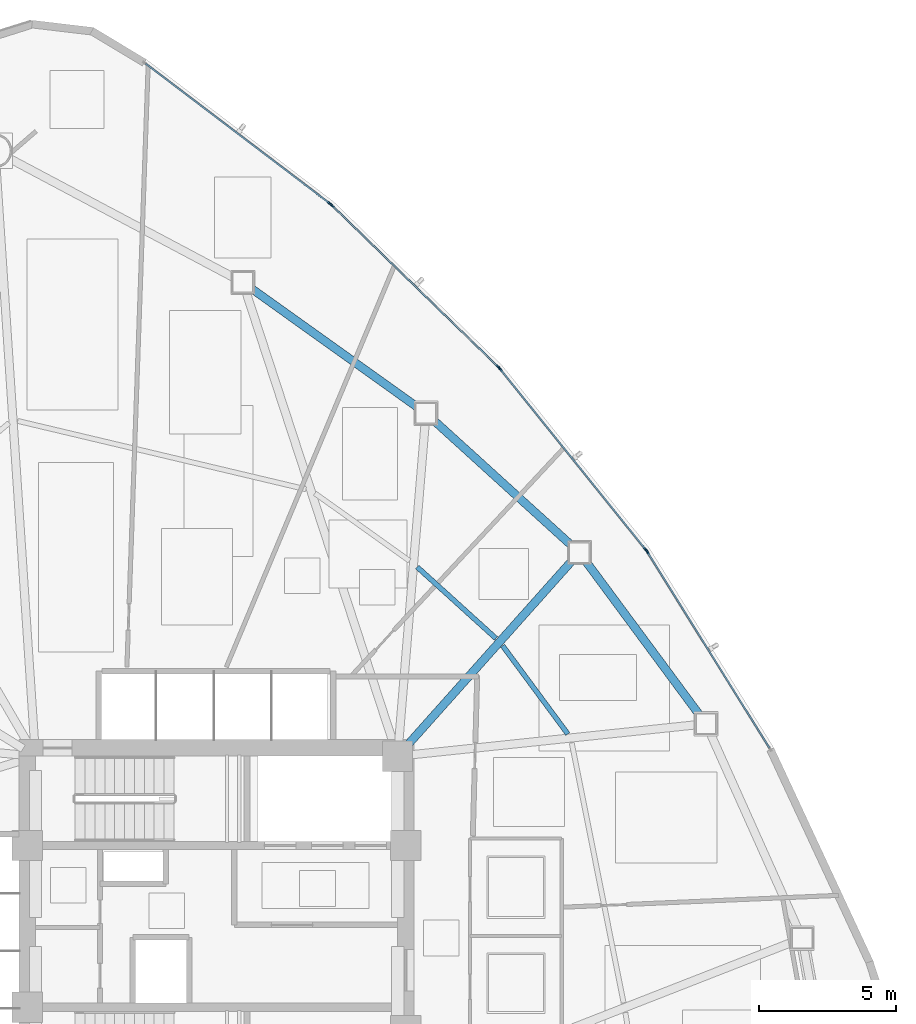
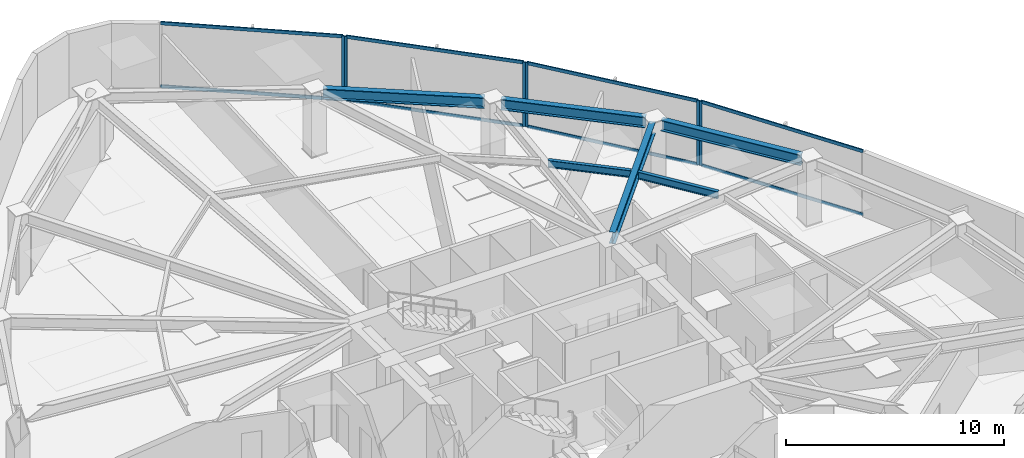
# One storey, part 10 of 18: 14 members, 6 beams, 4 elements without a shape of their own.
"""IFC4 building model written with IfcOpenShell, lengths in metres."""

from ifc_helpers import new_model, si_unit, direction, frame, origin, origin_2d, place, context, subcontext, project, spatial, hollow_rectangle, i_section, extrude, source, transform, mapped, material, layer, layer_set, material_profile, profile_set, type_object, type_shapes, element, aggregate, save


model = new_model("IFC4")

# Units and contexts
model_context = context("Model", 3, precision=1e-05, world=origin(), true_north=direction((0.0, 1.0)))
body_context = subcontext(model_context, "Body", "Model", "MODEL_VIEW")
ifc_project = project(units=[si_unit("LENGTHUNIT", "METRE"), si_unit("AREAUNIT", "SQUARE_METRE"), si_unit("VOLUMEUNIT", "CUBIC_METRE"), si_unit("PLANEANGLEUNIT", "RADIAN"), si_unit("MASSUNIT", "GRAM", prefix="KILO")], contexts=[model_context])

# Site, building, storey
site_placement = place(None, origin())
site = spatial("IfcSite", under=ifc_project, at=site_placement, CompositionType="ELEMENT")
building_placement = place(site_placement, origin())
building = spatial("IfcBuilding", under=site, at=building_placement, Name="Tavelor Broadcast Tower", CompositionType="ELEMENT")
storey_placement = place(building_placement, frame((0.0, 0.0, 47.10009765625)))
storey = spatial("IfcBuildingStorey", under=building, at=storey_placement, Name="L10", CompositionType="ELEMENT", Elevation=47.10009765625)

# Beams
ifc_material_1 = material(Name="Steel S355", Category="steel")
ifc_material_profile_1 = material_profile(ifc_material_1, i_section(OverallWidth=0.179931640625, OverallDepth=0.39990234375, WebThickness=0.008544921875, FlangeThickness=0.013427734375, at=origin_2d()), Name="IPE 400")
ifc_profile_set_1 = profile_set([ifc_material_profile_1], Name="Steel S355")
beam_type_1 = type_object("IfcBeamType", Name="Composite Floor Joist T1 IPE 400", PredefinedType="JOIST", material=ifc_profile_set_1)
beam_1_placement = place(storey_placement, frame((62.804443359375, 52.009521484375, 3.39990234375), z_axis=(-0.594288025828, 0.804252287754, 0.0), x_axis=(-0.804252287754, -0.594288025828, 0.0)))
element("IfcBeam", 1, at=beam_1_placement, inside=storey, type_object=beam_type_1, Name="L10 Secondary Composite Floor Joist 15", PredefinedType="JOIST", context=body_context, shape_type="SweptSolid", body=[
    extrude(i_section(OverallWidth=0.179931640625, OverallDepth=0.39990234375, WebThickness=0.008544921875, FlangeThickness=0.013427734375, at=origin_2d()), origin(), (0.0, 0.0, 1.0), 3.99755859375),
])
beam_2_placement = place(storey_placement, frame((60.18701171875, 55.49169921875, 3.39990234375), z_axis=(-0.740990869176, 0.67151510169, 0.0), x_axis=(-0.67151510169, -0.740990869176, 0.0)))
element("IfcBeam", 2, at=beam_2_placement, inside=storey, type_object=beam_type_1, Name="L10 Secondary Composite Floor Joist 16", PredefinedType="JOIST", context=body_context, shape_type="SweptSolid", body=[
    extrude(i_section(OverallWidth=0.179931640625, OverallDepth=0.39990234375, WebThickness=0.008544921875, FlangeThickness=0.013427734375, at=origin_2d()), origin(), (0.0, 0.0, 1.0), 3.8759765625),
])
ifc_material_profile_2 = material_profile(ifc_material_1, i_section(OverallWidth=0.300048828125, OverallDepth=0.60009765625, WebThickness=0.015380859375, FlangeThickness=0.030029296875, at=origin_2d()), Name="HEB 600")
ifc_profile_set_2 = profile_set([ifc_material_profile_2], Name="Steel S355")
beam_type_2 = type_object("IfcBeamType", Name="Perimeter Spandrel Beam T1 HEB 600", PredefinedType="SPANDREL", material=ifc_profile_set_2)
beam_3_placement = place(storey_placement, frame((67.6123046875, 52.69140625, 3.2998046875), z_axis=(-0.594687385164, 0.803957034876, 0.0), x_axis=(-0.803957034876, -0.594687385164, 0.0)))
element("IfcBeam", 3, at=beam_3_placement, inside=storey, type_object=beam_type_2, Name="L10 Framed-Tube Ring Spandrel 15", PredefinedType="SPANDREL", context=body_context, shape_type="SweptSolid", body=[
    extrude(i_section(OverallWidth=0.300048828125, OverallDepth=0.60009765625, WebThickness=0.015380859375, FlangeThickness=0.030029296875, at=origin_2d()), origin(), (0.0, 0.0, 1.0), 6.9951171875),
])
beam_4_placement = place(storey_placement, frame((62.939697265625, 58.882080078125, 3.2998046875), z_axis=(-0.740415616175, 0.672149325168, 0.0), x_axis=(-0.672149325168, -0.740415616175, 0.0)))
element("IfcBeam", 4, at=beam_4_placement, inside=storey, type_object=beam_type_2, Name="L10 Framed-Tube Ring Spandrel 16", PredefinedType="SPANDREL", context=body_context, shape_type="SweptSolid", body=[
    extrude(i_section(OverallWidth=0.300048828125, OverallDepth=0.60009765625, WebThickness=0.015380859375, FlangeThickness=0.030029296875, at=origin_2d()), origin(), (0.0, 0.0, 1.0), 6.78076171875),
])
beam_5_placement = place(storey_placement, frame((57.322509765625, 63.921142578125, 3.2998046875), z_axis=(-0.813480467782, 0.581592235624, 0.0), x_axis=(-0.581592235624, -0.813480467782, 0.0)))
element("IfcBeam", 5, at=beam_5_placement, inside=storey, type_object=beam_type_2, Name="L10 Framed-Tube Ring Spandrel 17", PredefinedType="SPANDREL", context=body_context, shape_type="SweptSolid", body=[
    extrude(i_section(OverallWidth=0.300048828125, OverallDepth=0.60009765625, WebThickness=0.015380859375, FlangeThickness=0.030029296875, at=origin_2d()), origin(), (0.0, 0.0, 1.0), 7.43505859375),
])
ifc_material_profile_3 = material_profile(ifc_material_1, i_section(OverallWidth=0.300048828125, OverallDepth=0.64990234375, WebThickness=0.01611328125, FlangeThickness=0.031005859375, at=origin_2d()), Name="HEB 650")
ifc_profile_set_3 = profile_set([ifc_material_profile_3], Name="Steel S355")
beam_type_3 = type_object("IfcBeamType", Name="Radial Floor Girder T1 HEB 650", PredefinedType="BEAM", material=ifc_profile_set_3)
beam_6_placement = place(storey_placement, frame((56.951416015625, 51.593994140625, 3.27490234375), z_axis=(0.665781144197, 0.746147082036, 0.0), x_axis=(-0.746147082036, 0.665781144197, 0.0)))
element("IfcBeam", 6, at=beam_6_placement, inside=storey, type_object=beam_type_3, Name="L10 Radial Primary Floor Girder 16", PredefinedType="BEAM", context=body_context, shape_type="SweptSolid", body=[
    extrude(i_section(OverallWidth=0.300048828125, OverallDepth=0.64990234375, WebThickness=0.01611328125, FlangeThickness=0.031005859375, at=origin_2d()), origin(), (0.0, 0.0, 1.0), 9.03759765625),
])

# Curtain wall, member
ifc_material_2 = material(Name="Architectural Anodized Aluminium", Category="aluminium")
ifc_layer = layer(ifc_material_2, 0.179931640625)
ifc_layer_set = layer_set([ifc_layer], Name="Architectural Anodized Aluminium")
curtain_wall_type = type_object("IfcCurtainWallType", Name="Tower Low-Zone Unitised Curtain Wall CW02", PredefinedType="NOTDEFINED", material=ifc_layer_set)
curtain_wall_1_placement = place(storey_placement, origin())
curtain_wall_1 = element("IfcCurtainWall", 7, at=curtain_wall_1_placement, inside=storey, type_object=curtain_wall_type, Name="L10 Curtain Wall CW02 Run 81", PredefinedType="NOTDEFINED")
ifc_material_profile_4 = material_profile(ifc_material_2, hollow_rectangle(XDim=0.06494140625, YDim=0.179931640625, WallThickness=0.02197265625, at=origin_2d()), Name="RHS 65x180x22")
ifc_profile_set_4 = profile_set([ifc_material_profile_4], Name="Architectural Anodized Aluminium")
member_type_1 = type_object("IfcMemberType", Name="CW02 Extruded Aluminium Mullion 65x180", PredefinedType="MULLION", material=ifc_profile_set_4)
shared_shape_1 = source(origin(), body_context, "Body", "SweptSolid", [
    extrude(hollow_rectangle(XDim=0.06494140625, YDim=0.179931640625, WallThickness=0.02197265625, at=origin_2d()), origin(), (0.0, 0.0, 1.0), 3.599853515625),
])
type_shapes(member_type_1, [shared_shape_1])
member_1_placement = place(storey_placement, frame((65.6962890625, 58.655029296875, 0.0), z_axis=(0.0, 0.0, 1.0), x_axis=(-0.848739264811, -0.528811554684, 0.0)))
member_1 = element("IfcMember", 8, at=member_1_placement, type_object=member_type_1, Name="CW02 mullion 2", PredefinedType="MULLION", context=body_context, shape_type="MappedRepresentation", body=[
    mapped(shared_shape_1, transform((0.0, 0.0, 0.0), scale=1.0)),
])

# Curtain wall, members
curtain_wall_2_placement = place(storey_placement, origin())
curtain_wall_2 = element("IfcCurtainWall", 9, at=curtain_wall_2_placement, inside=storey, type_object=curtain_wall_type, Name="L10 Curtain Wall CW02 Run 82", PredefinedType="NOTDEFINED")
member_2_placement = place(storey_placement, frame((65.6416015625, 58.732421875, 0.0), z_axis=(0.0, 0.0, 1.0), x_axis=(-0.778513671383, -0.627627647152, 0.0)))
member_2 = element("IfcMember", 10, at=member_2_placement, type_object=member_type_1, Name="CW02 mullion 1", PredefinedType="MULLION", context=body_context, shape_type="MappedRepresentation", body=[
    mapped(shared_shape_1, transform((0.0, 0.0, 0.0), scale=1.0)),
])
member_3_placement = place(storey_placement, frame((60.334716796875, 65.31494140625, 0.0), z_axis=(0.0, 0.0, 1.0), x_axis=(-0.778513671383, -0.627627647152, 0.0)))
member_3 = element("IfcMember", 11, at=member_3_placement, type_object=member_type_1, Name="CW02 mullion 2", PredefinedType="MULLION", context=body_context, shape_type="MappedRepresentation", body=[
    mapped(shared_shape_1, transform((0.0, 0.0, 0.0), scale=1.0)),
])

curtain_wall_3_placement = place(storey_placement, origin())
curtain_wall_3 = element("IfcCurtainWall", 12, at=curtain_wall_3_placement, inside=storey, type_object=curtain_wall_type, Name="L10 Curtain Wall CW02 Run 83", PredefinedType="NOTDEFINED")
member_4_placement = place(storey_placement, frame((60.270751953125, 65.38525390625, 0.0), z_axis=(0.0, 0.0, 1.0), x_axis=(-0.696833990154, -0.717232451975, 0.0)))
member_4 = element("IfcMember", 13, at=member_4_placement, type_object=member_type_1, Name="CW02 mullion 1", PredefinedType="MULLION", context=body_context, shape_type="MappedRepresentation", body=[
    mapped(shared_shape_1, transform((0.0, 0.0, 0.0), scale=1.0)),
])
member_5_placement = place(storey_placement, frame((54.206298828125, 71.277099609375, 0.0), z_axis=(0.0, 0.0, 1.0), x_axis=(-0.696833990154, -0.717232451975, 0.0)))
member_5 = element("IfcMember", 14, at=member_5_placement, type_object=member_type_1, Name="CW02 mullion 2", PredefinedType="MULLION", context=body_context, shape_type="MappedRepresentation", body=[
    mapped(shared_shape_1, transform((0.0, 0.0, 0.0), scale=1.0)),
])

# Curtain wall, member
curtain_wall_4_placement = place(storey_placement, origin())
curtain_wall_4 = element("IfcCurtainWall", 15, at=curtain_wall_4_placement, inside=storey, type_object=curtain_wall_type, Name="L10 Curtain Wall CW02 Run 84", PredefinedType="NOTDEFINED")
member_6_placement = place(storey_placement, frame((54.134521484375, 71.3388671875, 0.0), z_axis=(0.0, 0.0, 1.0), x_axis=(-0.604938607989, -0.796272114647, 0.0)))
member_6 = element("IfcMember", 16, at=member_6_placement, type_object=member_type_1, Name="CW02 mullion 1", PredefinedType="MULLION", context=body_context, shape_type="MappedRepresentation", body=[
    mapped(shared_shape_1, transform((0.0, 0.0, 0.0), scale=1.0)),
])

# Member
ifc_material_profile_5 = material_profile(ifc_material_2, hollow_rectangle(XDim=0.06494140625, YDim=0.179931640625, WallThickness=0.02197265625, at=origin_2d()), Name="RHS 65x180x22")
ifc_profile_set_5 = profile_set([ifc_material_profile_5], Name="Architectural Anodized Aluminium")
member_type_2 = type_object("IfcMemberType", Name="CW02 Extruded Aluminium Transom 65x180", PredefinedType="USERDEFINED", material=ifc_profile_set_5)
shared_shape_2 = source(origin(), body_context, "Body", "SweptSolid", [
    extrude(hollow_rectangle(XDim=0.06494140625, YDim=0.179931640625, WallThickness=0.02197265625, at=origin_2d()), origin(), (0.0, 0.0, 1.0), 8.4052734375),
])
member_7_placement = place(storey_placement, frame((70.158447265625, 51.49365234375, 0.032470703125), z_axis=(-0.528818295415, 0.848735064926, 0.0), x_axis=(-0.848735064926, -0.528818295415, 0.0)))
member_7 = element("IfcMember", 17, at=member_7_placement, type_object=member_type_2, Name="CW02 transom 1.1", ObjectType="TRANSOM", PredefinedType="USERDEFINED", context=body_context, shape_type="MappedRepresentation", body=[
    mapped(shared_shape_2, transform((0.0, 0.0, 0.0), scale=1.0)),
])

member_8_placement = place(storey_placement, frame((70.158447265625, 51.49365234375, 3.5673828125), z_axis=(-0.528818295415, 0.848735064926, 0.0), x_axis=(-0.848735064926, -0.528818295415, 0.0)))
member_8 = element("IfcMember", 18, at=member_8_placement, type_object=member_type_2, Name="CW02 transom 1.2", ObjectType="TRANSOM", PredefinedType="USERDEFINED", context=body_context, shape_type="MappedRepresentation", body=[
    mapped(shared_shape_2, transform((0.0, 0.0, 0.0), scale=1.0)),
])

aggregate(curtain_wall_1, [member_1, member_7, member_8])

shared_shape_3 = source(origin(), body_context, "Body", "SweptSolid", [
    extrude(hollow_rectangle(XDim=0.06494140625, YDim=0.179931640625, WallThickness=0.02197265625, at=origin_2d()), origin(), (0.0, 0.0, 1.0), 8.390380859375),
])
member_9_placement = place(storey_placement, frame((65.62109375, 58.7578125, 0.032470703125), z_axis=(-0.627635851821, 0.778507056814, 0.0), x_axis=(-0.778507056814, -0.627635851821, 0.0)))
member_9 = element("IfcMember", 19, at=member_9_placement, type_object=member_type_2, Name="CW02 transom 1.1", ObjectType="TRANSOM", PredefinedType="USERDEFINED", context=body_context, shape_type="MappedRepresentation", body=[
    mapped(shared_shape_3, transform((0.0, 0.0, 0.0), scale=1.0)),
])

member_10_placement = place(storey_placement, frame((65.62109375, 58.7578125, 3.5673828125), z_axis=(-0.627635851821, 0.778507056814, 0.0), x_axis=(-0.778507056814, -0.627635851821, 0.0)))
member_10 = element("IfcMember", 20, at=member_10_placement, type_object=member_type_2, Name="CW02 transom 1.2", ObjectType="TRANSOM", PredefinedType="USERDEFINED", context=body_context, shape_type="MappedRepresentation", body=[
    mapped(shared_shape_3, transform((0.0, 0.0, 0.0), scale=1.0)),
])

aggregate(curtain_wall_2, [member_2, member_3, member_9, member_10])

member_11_placement = place(storey_placement, frame((60.24755859375, 65.40771484375, 0.032470703125), z_axis=(-0.717232011236, 0.696834443794, 0.0), x_axis=(-0.696834443794, -0.717232011236, 0.0)))
member_11 = element("IfcMember", 21, at=member_11_placement, type_object=member_type_2, Name="CW02 transom 1.1", ObjectType="TRANSOM", PredefinedType="USERDEFINED", context=body_context, shape_type="MappedRepresentation", body=[
    mapped(shared_shape_3, transform((0.0, 0.0, 0.0), scale=1.0)),
])

member_12_placement = place(storey_placement, frame((60.24755859375, 65.40771484375, 3.5673828125), z_axis=(-0.717232011236, 0.696834443794, 0.0), x_axis=(-0.696834443794, -0.717232011236, 0.0)))
member_12 = element("IfcMember", 22, at=member_12_placement, type_object=member_type_2, Name="CW02 transom 1.2", ObjectType="TRANSOM", PredefinedType="USERDEFINED", context=body_context, shape_type="MappedRepresentation", body=[
    mapped(shared_shape_3, transform((0.0, 0.0, 0.0), scale=1.0)),
])

aggregate(curtain_wall_3, [member_4, member_5, member_11, member_12])

shared_shape_4 = source(origin(), body_context, "Body", "SweptSolid", [
    extrude(hollow_rectangle(XDim=0.06494140625, YDim=0.179931640625, WallThickness=0.02197265625, at=origin_2d()), origin(), (0.0, 0.0, 1.0), 8.40625),
])
type_shapes(member_type_2, [shared_shape_2, shared_shape_3, shared_shape_4])
member_13_placement = place(storey_placement, frame((54.108642578125, 71.358642578125, 0.032470703125), z_axis=(-0.796283619953, 0.604923463418, 0.0), x_axis=(-0.604923463418, -0.796283619953, 0.0)))
member_13 = element("IfcMember", 23, at=member_13_placement, type_object=member_type_2, Name="CW02 transom 1.1", ObjectType="TRANSOM", PredefinedType="USERDEFINED", context=body_context, shape_type="MappedRepresentation", body=[
    mapped(shared_shape_4, transform((0.0, 0.0, 0.0), scale=1.0)),
])

member_14_placement = place(storey_placement, frame((54.108642578125, 71.358642578125, 3.5673828125), z_axis=(-0.796283619953, 0.604923463418, 0.0), x_axis=(-0.604923463418, -0.796283619953, 0.0)))
member_14 = element("IfcMember", 24, at=member_14_placement, type_object=member_type_2, Name="CW02 transom 1.2", ObjectType="TRANSOM", PredefinedType="USERDEFINED", context=body_context, shape_type="MappedRepresentation", body=[
    mapped(shared_shape_4, transform((0.0, 0.0, 0.0), scale=1.0)),
])

aggregate(curtain_wall_4, [member_6, member_13, member_14])

save(model, "model.ifc")
